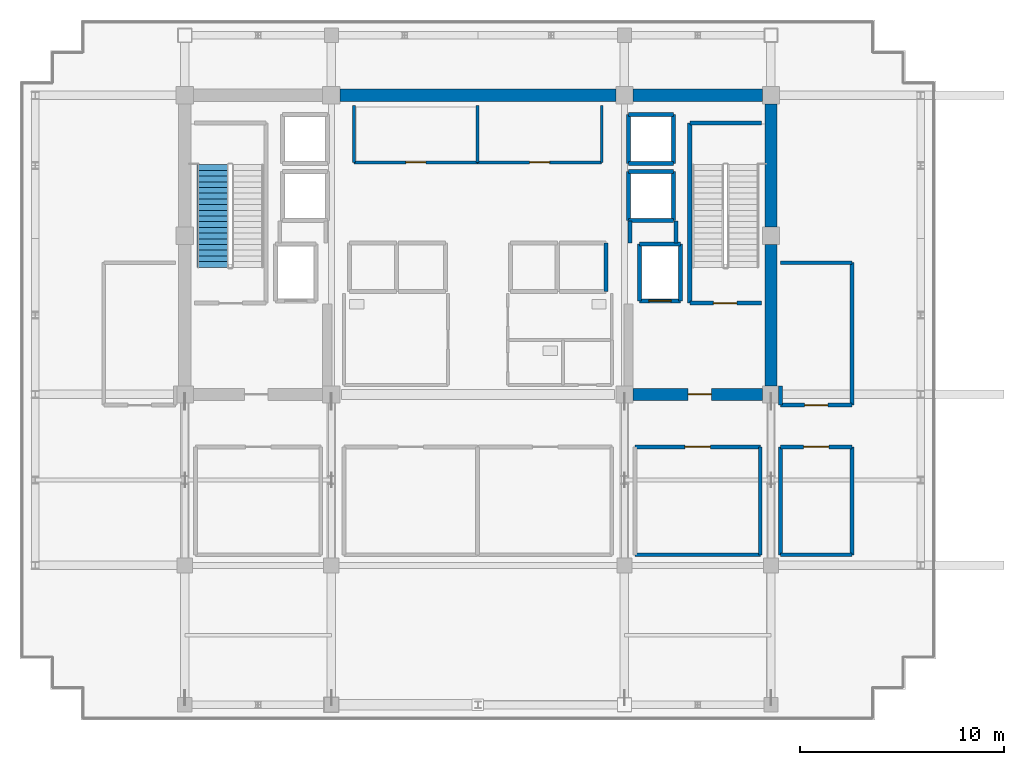
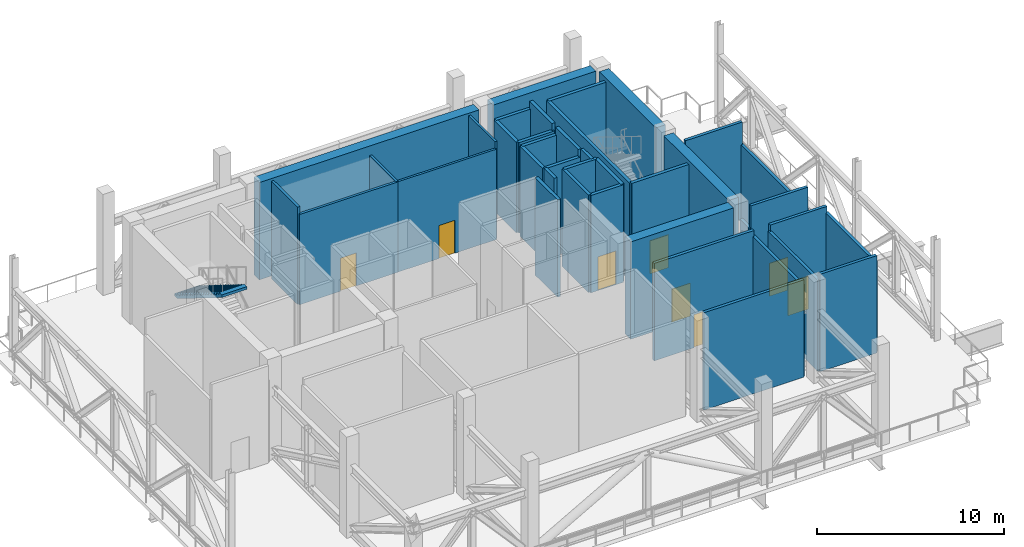
# One storey, part 5 of 11: 39 walls, 8 doors, 1 stair flight, 8 openings, 1 element without a shape of its own.
"""IFC4 building model written with IfcOpenShell, lengths in metres."""

from ifc_helpers import new_model, si_unit, direction, frame, frame_2d, origin, place, context, subcontext, project, spatial, polyline, rectangle, outline, extrude, source, transform, mapped, material, layer, layer_set, type_object, element, fill, aggregate, save


model = new_model("IFC4")

# Units and contexts
model_context = context("Model", 3, precision=1e-05, world=origin(), true_north=direction((0.0, 1.0)))
body_context = subcontext(model_context, "Body", "Model", "MODEL_VIEW")
ifc_project = project(units=[si_unit("LENGTHUNIT", "METRE"), si_unit("AREAUNIT", "SQUARE_METRE"), si_unit("VOLUMEUNIT", "CUBIC_METRE"), si_unit("PLANEANGLEUNIT", "RADIAN"), si_unit("MASSUNIT", "GRAM", prefix="KILO")], contexts=[model_context])

# Site, building, storey
site_placement = place(None, origin())
site = spatial("IfcSite", under=ifc_project, at=site_placement, CompositionType="ELEMENT")
building_placement = place(site_placement, origin())
building = spatial("IfcBuilding", under=site, at=building_placement, Name="Zarnakvel Exchange Tower", CompositionType="ELEMENT")
storey_placement = place(building_placement, frame((0.0, 0.0, 199.0)))
storey = spatial("IfcBuildingStorey", under=building, at=storey_placement, Name="L56", CompositionType="ELEMENT", Elevation=199.0)

# Walls
ifc_material_1 = material(Name="Concrete C50/60", Category="concrete")
ifc_layer_1 = layer(ifc_material_1, 0.60009765625)
ifc_layer_set_1 = layer_set([ifc_layer_1], Name="Concrete C50/60")
wall_type_1 = type_object("IfcWallType", Name="CW-C5", PredefinedType="SHEAR", material=ifc_layer_set_1)
wall_1_placement = place(storey_placement, frame((-6.77490234375, 13.5, 0.0), z_axis=(0.0, 0.0, 1.0), x_axis=(1.0, 0.0, 0.0)))
element("IfcWall", 1, at=wall_1_placement, inside=storey, type_object=wall_type_1, Name="L56 Rear Core Shear Wall N2 (CW-C5)", PredefinedType="SHEAR", context=body_context, shape_type="SweptSolid", body=[
    extrude(rectangle(XDim=13.5498046875, YDim=0.60009765625, at=frame_2d((6.77490234375, 0.0))), origin(), (0.0, 0.0, 1.0), 6.35009765625),
])
wall_2_placement = place(storey_placement, frame((7.625, 13.5, 0.0), z_axis=(0.0, 0.0, 1.0), x_axis=(1.0, 0.0, 0.0)))
element("IfcWall", 2, at=wall_2_placement, inside=storey, type_object=wall_type_1, Name="L56 Rear Core Shear Wall N3 (CW-C5)", PredefinedType="SHEAR", context=body_context, shape_type="SweptSolid", body=[
    extrude(rectangle(XDim=6.35009765625, YDim=0.60009765625, at=frame_2d((3.175048828125, 0.0))), origin(), (0.0, 0.0, 1.0), 6.35009765625),
])
wall_3_placement = place(storey_placement, frame((14.39990234375, -0.77490234375, 0.0), z_axis=(0.0, 0.0, 1.0), x_axis=(0.0, 1.0, 0.0)))
element("IfcWall", 3, at=wall_3_placement, inside=storey, type_object=wall_type_1, Name="L56 Rear Core Shear Wall E1 (CW-C5)", PredefinedType="SHEAR", context=body_context, shape_type="SweptSolid", body=[
    extrude(rectangle(XDim=6.949951171875, YDim=0.60009765625, at=frame_2d((3.47509765625, 0.0))), origin(), (0.0, 0.0, 1.0), 6.35009765625),
])
wall_4_placement = place(storey_placement, frame((14.39990234375, 7.02490234375, 0.0), z_axis=(0.0, 0.0, 1.0), x_axis=(0.0, 1.0, 0.0)))
element("IfcWall", 4, at=wall_4_placement, inside=storey, type_object=wall_type_1, Name="L56 Rear Core Shear Wall E2 (CW-C5)", PredefinedType="SHEAR", context=body_context, shape_type="SweptSolid", body=[
    extrude(rectangle(XDim=6.050048828125, YDim=0.60009765625, at=frame_2d((3.02490234375, 0.0))), origin(), (0.0, 0.0, 1.0), 6.35009765625),
])

# Wall, opening, door
wall_5_placement = place(storey_placement, frame((13.97509765625, -1.199951171875, 0.0), z_axis=(0.0, 0.0, 1.0), x_axis=(-1.0, 0.0, 0.0)))
wall_5 = element("IfcWall", 5, at=wall_5_placement, inside=storey, type_object=wall_type_1, Name="L56 Rear Core Shear Wall SE (CW-C5)", PredefinedType="SHEAR", context=body_context, shape_type="SweptSolid", body=[
    extrude(rectangle(XDim=6.35009765625, YDim=0.60009765625, at=frame_2d((3.175048828125, 0.0))), origin(), (0.0, 0.0, 1.0), 6.35009765625),
])
opening_1_placement = place(wall_5_placement, frame((2.5, 0.0, 0.0)))
opening_1 = element("IfcOpeningElement", 6, at=opening_1_placement, cuts=wall_5, Name="Opening D-L56-04", PredefinedType="OPENING", context=body_context, shape_type="SweptSolid", body=[
    extrude(rectangle(XDim=1.14990234375, YDim=2.14990234375, at=frame_2d((0.574951171875, 1.074951171875))), frame((0.0, 0.31005859375, 0.0), z_axis=(0.0, -1.0, 0.0), x_axis=(1.0, 0.0, 0.0)), (0.0, 0.0, 1.0), 0.6201171875),
])
ifc_material_2 = material(Name="Painted Galvanised Steel S355", Category="steel")
door_type_1 = type_object("IfcDoorType", Name="DT-04", OperationType="NOTDEFINED", PredefinedType="DOOR", material=ifc_material_2)
shared_shape_1 = source(origin(), body_context, "Body", "SweptSolid", [
    extrude(rectangle(XDim=1.14990234375, YDim=2.14990234375, at=frame_2d((0.574951171875, 1.074951171875))), frame((0.0, 0.02490234375, 0.0), z_axis=(0.0, -1.0, 0.0), x_axis=(1.0, 0.0, 0.0)), (0.0, 0.0, 1.0), 0.050048828125),
])
door_1_placement = place(opening_1_placement, origin())
door_1 = element("IfcDoor", 7, at=door_1_placement, inside=storey, type_object=door_type_1, Name="L56 Firefighting Lobby East Door D-L56-04", OperationType="SINGLE_SWING_LEFT", OverallHeight=2.14990234375, OverallWidth=1.14990234375, PredefinedType="DOOR", context=body_context, shape_type="MappedRepresentation", body=[
    mapped(shared_shape_1, transform((0.0, 0.0, 0.0), x_axis=(1.0, 0.0, 0.0), y_axis=(0.0, 1.0, 0.0), z_axis=(0.0, 0.0, 1.0), scale=1.0)),
])
fill(opening_1, door_1)

ifc_material_3 = material(Name="Fire-Rated Gypsum Stud Partition", Category="gypsum")
ifc_layer_2 = layer(ifc_material_3, 0.14990234375)
ifc_layer_set_2 = layer_set([ifc_layer_2], Name="Fire-Rated Gypsum Stud Partition")
wall_type_2 = type_object("IfcWallType", Name="PT-01", PredefinedType="PARTITIONING", material=ifc_layer_set_2)
wall_6_placement = place(storey_placement, frame((-0.02001953125, 10.199951171875, 0.0), z_axis=(0.0, 0.0, 1.0), x_axis=(-1.0, 0.0, 0.0)))
wall_6 = element("IfcWall", 8, at=wall_6_placement, inside=storey, type_object=wall_type_2, Name="L56 Partition Wall PWALL-L56-011 (PT-01)", PredefinedType="PARTITIONING", context=body_context, shape_type="SweptSolid", body=[
    extrude(rectangle(XDim=6.06005859375, YDim=0.14990234375, at=frame_2d((3.030029296875, 0.0))), origin(), (0.0, 0.0, 1.0), 5.889892578125),
])
opening_2_placement = place(wall_6_placement, frame((2.5400390625, 0.0, 0.0)))
opening_2 = element("IfcOpeningElement", 9, at=opening_2_placement, cuts=wall_6, Name="Opening D-L56-05", PredefinedType="OPENING", context=body_context, shape_type="SweptSolid", body=[
    extrude(rectangle(XDim=0.97998046875, YDim=2.14990234375, at=frame_2d((0.489990234375, 1.074951171875))), frame((0.0, 0.0849609375, 0.0), z_axis=(0.0, -1.0, 0.0), x_axis=(1.0, 0.0, 0.0)), (0.0, 0.0, 1.0), 0.169921875),
])
ifc_material_4 = material(Name="Timber Acoustic Veneer", Category="wood")
door_type_2 = type_object("IfcDoorType", Name="DT-05", OperationType="NOTDEFINED", PredefinedType="DOOR", material=ifc_material_4)
shared_shape_2 = source(origin(), body_context, "Body", "SweptSolid", [
    extrude(rectangle(XDim=0.97998046875, YDim=2.14990234375, at=frame_2d((0.489990234375, 1.074951171875))), frame((0.0, 0.02490234375, 0.0), z_axis=(0.0, -1.0, 0.0), x_axis=(1.0, 0.0, 0.0)), (0.0, 0.0, 1.0), 0.050048828125),
])
door_2_placement = place(opening_2_placement, origin())
door_2 = element("IfcDoor", 10, at=door_2_placement, inside=storey, type_object=door_type_2, Name="L56 Settlement Records Suite Door D-L56-05", OperationType="SINGLE_SWING_RIGHT", OverallHeight=2.14990234375, OverallWidth=0.97998046875, PredefinedType="DOOR", context=body_context, shape_type="MappedRepresentation", body=[
    mapped(shared_shape_2, transform((0.0, 0.0, 0.0), x_axis=(1.0, 0.0, 0.0), y_axis=(0.0, 1.0, 0.0), z_axis=(0.0, 0.0, 1.0), scale=1.0)),
])
fill(opening_2, door_2)

# Walls
wall_7_placement = place(storey_placement, frame((-6.080078125, 10.199951171875, 0.0), z_axis=(0.0, 0.0, 1.0), x_axis=(0.0, 1.0, 0.0)))
element("IfcWall", 11, at=wall_7_placement, inside=storey, type_object=wall_type_2, Name="L56 Partition Wall PWALL-L56-012 (PT-01)", PredefinedType="PARTITIONING", context=body_context, shape_type="SweptSolid", body=[
    extrude(rectangle(XDim=2.800048828125, YDim=0.14990234375, at=frame_2d((1.39990234375, 0.0))), origin(), (0.0, 0.0, 1.0), 6.35009765625),
])
wall_8_placement = place(storey_placement, frame((-0.02001953125, 13.0, 0.0), z_axis=(0.0, 0.0, 1.0), x_axis=(0.0, -1.0, 0.0)))
element("IfcWall", 12, at=wall_8_placement, inside=storey, type_object=wall_type_2, Name="L56 Partition Wall PWALL-L56-013 (PT-01)", PredefinedType="PARTITIONING", context=body_context, shape_type="SweptSolid", body=[
    extrude(rectangle(XDim=2.800048828125, YDim=0.14990234375, at=frame_2d((1.39990234375, 0.0))), origin(), (0.0, 0.0, 1.0), 5.889892578125),
])
ifc_layer_3 = layer(ifc_material_3, 0.179931640625)
ifc_layer_set_3 = layer_set([ifc_layer_3], Name="Fire-Rated Gypsum Stud Partition")
wall_type_3 = type_object("IfcWallType", Name="PT-02", PredefinedType="PARTITIONING", material=ifc_layer_set_3)
wall_9_placement = place(storey_placement, frame((7.469970703125, 6.239990234375, 0.0), z_axis=(0.0, 0.0, 1.0), x_axis=(0.0, 1.0, 0.0)))
element("IfcWall", 13, at=wall_9_placement, inside=storey, type_object=wall_type_3, Name="L56 Partition Wall PWALL-L56-009 (PT-02)", PredefinedType="PARTITIONING", context=body_context, shape_type="SweptSolid", body=[
    extrude(rectangle(XDim=1.090087890625, YDim=0.179931640625, at=frame_2d((0.544921875, 0.0))), origin(), (0.0, 0.0, 1.0), 5.889892578125),
])
wall_10_placement = place(storey_placement, frame((9.72998046875, 7.330078125, 0.0), z_axis=(0.0, 0.0, 1.0), x_axis=(0.0, -1.0, 0.0)))
element("IfcWall", 14, at=wall_10_placement, inside=storey, type_object=wall_type_3, Name="L56 Partition Wall PWALL-L56-010 (PT-02)", PredefinedType="PARTITIONING", context=body_context, shape_type="SweptSolid", body=[
    extrude(rectangle(XDim=1.090087890625, YDim=0.179931640625, at=frame_2d((0.544921875, 0.0))), origin(), (0.0, 0.0, 1.0), 6.35009765625),
])

# Wall, opening, door
wall_11_placement = place(storey_placement, frame((18.3798828125, -1.719970703125, 0.0), z_axis=(0.0, 0.0, 1.0), x_axis=(-1.0, 0.0, 0.0)))
wall_11 = element("IfcWall", 15, at=wall_11_placement, inside=storey, type_object=wall_type_3, Name="L56 Partition Wall PWALL-L56-031 (PT-02)", PredefinedType="PARTITIONING", context=body_context, shape_type="SweptSolid", body=[
    extrude(rectangle(XDim=3.509765625, YDim=0.179931640625, at=frame_2d((1.7548828125, 0.0))), origin(), (0.0, 0.0, 1.0), 6.35009765625),
])
opening_3_placement = place(wall_11_placement, frame((1.179931640625, 0.0, 0.0)))
opening_3 = element("IfcOpeningElement", 16, at=opening_3_placement, cuts=wall_11, Name="Opening D-L56-12", PredefinedType="OPENING", context=body_context, shape_type="SweptSolid", body=[
    extrude(rectangle(XDim=1.14990234375, YDim=2.14990234375, at=frame_2d((0.574951171875, 1.074951171875))), frame((0.0, 0.099853515625, 0.0), z_axis=(0.0, -1.0, 0.0), x_axis=(1.0, 0.0, 0.0)), (0.0, 0.0, 1.0), 0.199951171875),
])
door_3_placement = place(opening_3_placement, origin())
door_3 = element("IfcDoor", 17, at=door_3_placement, inside=storey, type_object=door_type_1, Name="L56 L56 Protected Refuge Area East Door D-L56-12", OperationType="SINGLE_SWING_LEFT", OverallHeight=2.14990234375, OverallWidth=1.14990234375, PredefinedType="DOOR", context=body_context, shape_type="MappedRepresentation", body=[
    mapped(shared_shape_1, transform((0.0, 0.0, 0.0), x_axis=(1.0, 0.0, 0.0), y_axis=(0.0, 1.0, 0.0), z_axis=(0.0, 0.0, 1.0), scale=1.0)),
])
fill(opening_3, door_3)

# Walls
wall_12_placement = place(storey_placement, frame((14.8701171875, 5.280029296875, 0.0), z_axis=(0.0, 0.0, 1.0), x_axis=(1.0, 0.0, 0.0)))
element("IfcWall", 18, at=wall_12_placement, inside=storey, type_object=wall_type_3, Name="L56 Partition Wall PWALL-L56-032 (PT-02)", PredefinedType="PARTITIONING", context=body_context, shape_type="SweptSolid", body=[
    extrude(rectangle(XDim=3.509765625, YDim=0.179931640625, at=frame_2d((1.7548828125, 0.0))), origin(), (0.0, 0.0, 1.0), 6.35009765625),
])
wall_13_placement = place(storey_placement, frame((14.8701171875, -1.719970703125, 0.0), z_axis=(0.0, 0.0, 1.0), x_axis=(0.0, 1.0, 0.0)))
element("IfcWall", 19, at=wall_13_placement, inside=storey, type_object=wall_type_3, Name="L56 Partition Wall PWALL-L56-033 (PT-02)", PredefinedType="PARTITIONING", context=body_context, shape_type="SweptSolid", body=[
    extrude(rectangle(XDim=0.945068359375, YDim=0.179931640625, at=frame_2d((0.47265625, 0.0))), origin(), (0.0, 0.0, 1.0), 4.889892578125),
])
wall_14_placement = place(storey_placement, frame((18.3798828125, 5.280029296875, 0.0), z_axis=(0.0, 0.0, 1.0), x_axis=(0.0, -1.0, 0.0)))
element("IfcWall", 20, at=wall_14_placement, inside=storey, type_object=wall_type_3, Name="L56 Partition Wall PWALL-L56-034 (PT-02)", PredefinedType="PARTITIONING", context=body_context, shape_type="SweptSolid", body=[
    extrude(rectangle(XDim=7.0, YDim=0.179931640625, at=frame_2d((3.5, 0.0))), origin(), (0.0, 0.0, 1.0), 4.889892578125),
])
wall_15_placement = place(storey_placement, frame((13.8798828125, -9.080078125, 0.0), z_axis=(0.0, 0.0, 1.0), x_axis=(-1.0, 0.0, 0.0)))
element("IfcWall", 21, at=wall_15_placement, inside=storey, type_object=wall_type_3, Name="L56 Partition Wall PWALL-L56-046 (PT-02)", PredefinedType="PARTITIONING", context=body_context, shape_type="SweptSolid", body=[
    extrude(rectangle(XDim=6.159912109375, YDim=0.179931640625, at=frame_2d((3.080078125, 0.0))), origin(), (0.0, 0.0, 1.0), 6.35009765625),
])

# Wall, opening, door
wall_16_placement = place(storey_placement, frame((7.719970703125, -3.780029296875, 0.0), z_axis=(0.0, 0.0, 1.0), x_axis=(1.0, 0.0, 0.0)))
wall_16 = element("IfcWall", 22, at=wall_16_placement, inside=storey, type_object=wall_type_3, Name="L56 Partition Wall PWALL-L56-047 (PT-02)", PredefinedType="PARTITIONING", context=body_context, shape_type="SweptSolid", body=[
    extrude(rectangle(XDim=6.159912109375, YDim=0.179931640625, at=frame_2d((3.080078125, 0.0))), origin(), (0.0, 0.0, 1.0), 6.35009765625),
])
opening_4_placement = place(wall_16_placement, frame((2.455078125, 0.0, 0.0)))
opening_4 = element("IfcOpeningElement", 23, at=opening_4_placement, cuts=wall_16, Name="Opening D-L56-16", PredefinedType="OPENING", context=body_context, shape_type="SweptSolid", body=[
    extrude(rectangle(XDim=1.25, YDim=2.14990234375, at=frame_2d((0.625, 1.074951171875))), frame((0.0, 0.099853515625, 0.0), z_axis=(0.0, -1.0, 0.0), x_axis=(1.0, 0.0, 0.0)), (0.0, 0.0, 1.0), 0.199951171875),
])
door_type_3 = type_object("IfcDoorType", Name="DT-06", OperationType="NOTDEFINED", PredefinedType="DOOR", material=ifc_material_2)
shared_shape_3 = source(origin(), body_context, "Body", "SweptSolid", [
    extrude(rectangle(XDim=1.25, YDim=2.14990234375, at=frame_2d((0.625, 1.074951171875))), frame((0.0, 0.02490234375, 0.0), z_axis=(0.0, -1.0, 0.0), x_axis=(1.0, 0.0, 0.0)), (0.0, 0.0, 1.0), 0.050048828125),
])
door_4_placement = place(opening_4_placement, origin())
door_4 = element("IfcDoor", 24, at=door_4_placement, inside=storey, type_object=door_type_3, Name="L56 L56 HV Zone Substation Plant Room Door D-L56-16", OperationType="SINGLE_SWING_LEFT", OverallHeight=2.14990234375, OverallWidth=1.25, PredefinedType="DOOR", context=body_context, shape_type="MappedRepresentation", body=[
    mapped(shared_shape_3, transform((0.0, 0.0, 0.0), x_axis=(1.0, 0.0, 0.0), y_axis=(0.0, 1.0, 0.0), z_axis=(0.0, 0.0, 1.0), scale=1.0)),
])
fill(opening_4, door_4)

# Walls
wall_17_placement = place(storey_placement, frame((13.8798828125, -3.780029296875, 0.0), z_axis=(0.0, 0.0, 1.0), x_axis=(0.0, -1.0, 0.0)))
element("IfcWall", 25, at=wall_17_placement, inside=storey, type_object=wall_type_3, Name="L56 Partition Wall PWALL-L56-049 (PT-02)", PredefinedType="PARTITIONING", context=body_context, shape_type="SweptSolid", body=[
    extrude(rectangle(XDim=5.300048828125, YDim=0.179931640625, at=frame_2d((2.64990234375, 0.0))), origin(), (0.0, 0.0, 1.0), 5.97998046875),
])
wall_18_placement = place(storey_placement, frame((18.3798828125, -9.080078125, 0.0), z_axis=(0.0, 0.0, 1.0), x_axis=(-1.0, 0.0, 0.0)))
element("IfcWall", 26, at=wall_18_placement, inside=storey, type_object=wall_type_3, Name="L56 Partition Wall PWALL-L56-050 (PT-02)", PredefinedType="PARTITIONING", context=body_context, shape_type="SweptSolid", body=[
    extrude(rectangle(XDim=3.509765625, YDim=0.179931640625, at=frame_2d((1.7548828125, 0.0))), origin(), (0.0, 0.0, 1.0), 6.35009765625),
])

# Wall, opening, door
wall_19_placement = place(storey_placement, frame((14.8701171875, -3.780029296875, 0.0), z_axis=(0.0, 0.0, 1.0), x_axis=(1.0, 0.0, 0.0)))
wall_19 = element("IfcWall", 27, at=wall_19_placement, inside=storey, type_object=wall_type_3, Name="L56 Partition Wall PWALL-L56-051 (PT-02)", PredefinedType="PARTITIONING", context=body_context, shape_type="SweptSolid", body=[
    extrude(rectangle(XDim=3.509765625, YDim=0.179931640625, at=frame_2d((1.7548828125, 0.0))), origin(), (0.0, 0.0, 1.0), 6.35009765625),
])
opening_5_placement = place(wall_19_placement, frame((1.1298828125, 0.0, 0.0)))
opening_5 = element("IfcOpeningElement", 28, at=opening_5_placement, cuts=wall_19, Name="Opening D-L56-17", PredefinedType="OPENING", context=body_context, shape_type="SweptSolid", body=[
    extrude(rectangle(XDim=1.25, YDim=2.14990234375, at=frame_2d((0.625, 1.074951171875))), frame((0.0, 0.099853515625, 0.0), z_axis=(0.0, -1.0, 0.0), x_axis=(1.0, 0.0, 0.0)), (0.0, 0.0, 1.0), 0.199951171875),
])
door_5_placement = place(opening_5_placement, origin())
door_5 = element("IfcDoor", 29, at=door_5_placement, inside=storey, type_object=door_type_3, Name="L56 L56 BMS and Smoke-Extract Plant Room Door D-L56-17", OperationType="SINGLE_SWING_RIGHT", OverallHeight=2.14990234375, OverallWidth=1.25, PredefinedType="DOOR", context=body_context, shape_type="MappedRepresentation", body=[
    mapped(shared_shape_3, transform((0.0, 0.0, 0.0), x_axis=(1.0, 0.0, 0.0), y_axis=(0.0, 1.0, 0.0), z_axis=(0.0, 0.0, 1.0), scale=1.0)),
])
fill(opening_5, door_5)

# Walls
for number, where, z_axis, x_axis, name in (
    (30, (14.8701171875, -9.080078125, 0.0), (0.0, 0.0, 1.0), (0.0, 1.0, 0.0), "L56 Partition Wall PWALL-L56-052 (PT-02)"),
    (31, (18.3798828125, -3.780029296875, 0.0), (0.0, 0.0, 1.0), (0.0, -1.0, 0.0), "L56 Partition Wall PWALL-L56-053 (PT-02)"),
):
    element("IfcWall", number, at=place(storey_placement, frame(where, z_axis=z_axis, x_axis=x_axis)), inside=storey, type_object=wall_type_3, Name=name, PredefinedType="PARTITIONING", context=body_context, shape_type="SweptSolid", body=[
        extrude(rectangle(XDim=5.300048828125, YDim=0.179931640625, at=frame_2d((2.64990234375, 0.0))), origin(), (0.0, 0.0, 1.0), 5.93994140625),
    ])

# Wall, opening, door
ifc_material_5 = material(Name="Moisture-Resistant Tile-Faced Partition", Category="gypsum")
ifc_layer_4 = layer(ifc_material_5, 0.135009765625)
ifc_layer_set_4 = layer_set([ifc_layer_4], Name="Moisture-Resistant Tile-Faced Partition")
wall_type_4 = type_object("IfcWallType", Name="PT-03", PredefinedType="PARTITIONING", material=ifc_layer_set_4)
wall_20_placement = place(storey_placement, frame((6.080078125, 10.199951171875, 0.0), z_axis=(0.0, 0.0, 1.0), x_axis=(-1.0, 0.0, 0.0)))
wall_20 = element("IfcWall", 32, at=wall_20_placement, inside=storey, type_object=wall_type_4, Name="L56 Partition Wall PWALL-L56-014 (PT-03)", PredefinedType="PARTITIONING", context=body_context, shape_type="SweptSolid", body=[
    extrude(rectangle(XDim=6.10009765625, YDim=0.135009765625, at=frame_2d((3.050048828125, 0.0))), origin(), (0.0, 0.0, 1.0), 5.889892578125),
])
opening_6_placement = place(wall_20_placement, frame((2.56005859375, 0.0, 0.0)))
opening_6 = element("IfcOpeningElement", 33, at=opening_6_placement, cuts=wall_20, Name="Opening D-L56-06", PredefinedType="OPENING", context=body_context, shape_type="SweptSolid", body=[
    extrude(rectangle(XDim=0.97998046875, YDim=2.14990234375, at=frame_2d((0.489990234375, 1.074951171875))), frame((0.0, 0.077392578125, 0.0), z_axis=(0.0, -1.0, 0.0), x_axis=(1.0, 0.0, 0.0)), (0.0, 0.0, 1.0), 0.155029296875),
])
door_6_placement = place(opening_6_placement, origin())
door_6 = element("IfcDoor", 34, at=door_6_placement, inside=storey, type_object=door_type_2, Name="L56 Staff Refreshment Pantry Door D-L56-06", OperationType="SINGLE_SWING_LEFT", OverallHeight=2.14990234375, OverallWidth=0.97998046875, PredefinedType="DOOR", context=body_context, shape_type="MappedRepresentation", body=[
    mapped(shared_shape_2, transform((0.0, 0.0, 0.0), x_axis=(1.0, 0.0, 0.0), y_axis=(0.0, 1.0, 0.0), z_axis=(0.0, 0.0, 1.0), scale=1.0)),
])
fill(opening_6, door_6)

# Wall
wall_21_placement = place(storey_placement, frame((6.080078125, 13.0, 0.0), z_axis=(0.0, 0.0, 1.0), x_axis=(0.0, -1.0, 0.0)))
element("IfcWall", 35, at=wall_21_placement, inside=storey, type_object=wall_type_4, Name="L56 Partition Wall PWALL-L56-015 (PT-03)", PredefinedType="PARTITIONING", context=body_context, shape_type="SweptSolid", body=[
    extrude(rectangle(XDim=2.800048828125, YDim=0.135009765625, at=frame_2d((1.39990234375, 0.0))), origin(), (0.0, 0.0, 1.0), 6.35009765625),
])

# Wall, opening, door
ifc_material_6 = material(Name="Concrete C40/50", Category="concrete")
ifc_layer_5 = layer(ifc_material_6, 0.199951171875)
ifc_layer_set_5 = layer_set([ifc_layer_5], Name="Concrete C40/50")
wall_type_5 = type_object("IfcWallType", Name="SW-01", PredefinedType="SOLIDWALL", material=ifc_layer_set_5)
wall_22_placement = place(storey_placement, frame((9.949951171875, 3.39990234375, 0.0), z_axis=(0.0, 0.0, 1.0), x_axis=(-1.0, 0.0, 0.0)))
wall_22 = element("IfcWall", 36, at=wall_22_placement, inside=storey, type_object=wall_type_5, Name="L56 FL-02 Hoistway Wall South", PredefinedType="SOLIDWALL", context=body_context, shape_type="SweptSolid", body=[
    extrude(rectangle(XDim=2.0, YDim=0.199951171875, at=frame_2d((1.0, 0.0))), origin(), (0.0, 0.0, 1.0), 6.35009765625),
])
opening_7_placement = place(wall_22_placement, frame((0.449951171875, 0.0, 0.0)))
opening_7 = element("IfcOpeningElement", 37, at=opening_7_placement, cuts=wall_22, Name="Opening LD-FL-02-L56", PredefinedType="OPENING", context=body_context, shape_type="SweptSolid", body=[
    extrude(rectangle(XDim=1.10009765625, YDim=2.199951171875, at=frame_2d((0.550048828125, 1.10009765625))), frame((0.0, 0.10986328125, 0.0), z_axis=(0.0, -1.0, 0.0), x_axis=(1.0, 0.0, 0.0)), (0.0, 0.0, 1.0), 0.219970703125),
])
ifc_material_7 = material(Name="Brushed Stainless Steel", Category="steel")
door_type_4 = type_object("IfcDoorType", Name="LDT-01", OperationType="NOTDEFINED", PredefinedType="DOOR", material=ifc_material_7)
shared_shape_4 = source(origin(), body_context, "Body", "SweptSolid", [
    extrude(rectangle(XDim=1.10009765625, YDim=2.199951171875, at=frame_2d((0.550048828125, 1.10009765625))), frame((0.0, 0.02490234375, 0.0), z_axis=(0.0, -1.0, 0.0), x_axis=(1.0, 0.0, 0.0)), (0.0, 0.0, 1.0), 0.050048828125),
])
door_7_placement = place(opening_7_placement, origin())
door_7 = element("IfcDoor", 38, at=door_7_placement, inside=storey, type_object=door_type_4, Name="L56 FL-02 Lift Landing Door LD-FL-02-L56", OperationType="DOUBLE_DOOR_SLIDING", OverallHeight=2.199951171875, OverallWidth=1.10009765625, PredefinedType="DOOR", context=body_context, shape_type="MappedRepresentation", body=[
    mapped(shared_shape_4, transform((0.0, 0.0, 0.0), x_axis=(1.0, 0.0, 0.0), y_axis=(0.0, 1.0, 0.0), z_axis=(0.0, 0.0, 1.0), scale=1.0)),
])
fill(opening_7, door_7)

# Walls
wall_23_placement = place(storey_placement, frame((7.949951171875, 6.199951171875, 0.0), z_axis=(0.0, 0.0, 1.0), x_axis=(1.0, 0.0, 0.0)))
element("IfcWall", 39, at=wall_23_placement, inside=storey, type_object=wall_type_5, Name="L56 FL-02 Hoistway Wall North", PredefinedType="SOLIDWALL", context=body_context, shape_type="SweptSolid", body=[
    extrude(rectangle(XDim=2.0, YDim=0.199951171875, at=frame_2d((1.0, 0.0))), origin(), (0.0, 0.0, 1.0), 6.35009765625),
])
for number, where, z_axis, x_axis, name in (
    (40, (7.949951171875, 3.39990234375, 0.0), (0.0, 0.0, 1.0), (0.0, 1.0, 0.0), "L56 FL-02 Hoistway Wall West"),
    (41, (9.949951171875, 6.199951171875, 0.0), (0.0, 0.0, 1.0), (0.0, -1.0, 0.0), "L56 FL-02 Hoistway Wall East"),
):
    element("IfcWall", number, at=place(storey_placement, frame(where, z_axis=z_axis, x_axis=x_axis)), inside=storey, type_object=wall_type_5, Name=name, PredefinedType="SOLIDWALL", context=body_context, shape_type="SweptSolid", body=[
        extrude(rectangle(XDim=2.800048828125, YDim=0.199951171875, at=frame_2d((1.39990234375, 0.0))), origin(), (0.0, 0.0, 1.0), 6.35009765625),
    ])
wall_24_placement = place(storey_placement, frame((6.300048828125, 6.25, 0.0), z_axis=(0.0, 0.0, 1.0), x_axis=(0.0, -1.0, 0.0)))
element("IfcWall", 42, at=wall_24_placement, inside=storey, type_object=wall_type_5, Name="L56 PL-08 Hoistway Wall East", PredefinedType="SOLIDWALL", context=body_context, shape_type="SweptSolid", body=[
    extrude(rectangle(XDim=2.39990234375, YDim=0.199951171875, at=frame_2d((1.199951171875, 0.0))), origin(), (0.0, 0.0, 1.0), 6.35009765625),
])
for number, where, z_axis, x_axis, name in (
    (43, (9.60009765625, 7.35009765625, 0.0), (0.0, 0.0, 1.0), (-1.0, 0.0, 0.0), "L56 PL-11 Hoistway Wall South"),
    (44, (7.39990234375, 9.75, 0.0), (0.0, 0.0, 1.0), (1.0, 0.0, 0.0), "L56 PL-11 Hoistway Wall North"),
):
    element("IfcWall", number, at=place(storey_placement, frame(where, z_axis=z_axis, x_axis=x_axis)), inside=storey, type_object=wall_type_5, Name=name, PredefinedType="SOLIDWALL", context=body_context, shape_type="SweptSolid", body=[
        extrude(rectangle(XDim=2.2001953125, YDim=0.199951171875, at=frame_2d((1.10009765625, 0.0))), origin(), (0.0, 0.0, 1.0), 5.889892578125),
    ])
wall_25_placement = place(storey_placement, frame((7.39990234375, 7.35009765625, 0.0), z_axis=(0.0, 0.0, 1.0), x_axis=(0.0, 1.0, 0.0)))
element("IfcWall", 45, at=wall_25_placement, inside=storey, type_object=wall_type_5, Name="L56 PL-11 Hoistway Wall West", PredefinedType="SOLIDWALL", context=body_context, shape_type="SweptSolid", body=[
    extrude(rectangle(XDim=2.39990234375, YDim=0.199951171875, at=frame_2d((1.199951171875, 0.0))), origin(), (0.0, 0.0, 1.0), 5.889892578125),
])
wall_26_placement = place(storey_placement, frame((9.60009765625, 9.75, 0.0), z_axis=(0.0, 0.0, 1.0), x_axis=(0.0, -1.0, 0.0)))
element("IfcWall", 46, at=wall_26_placement, inside=storey, type_object=wall_type_5, Name="L56 PL-11 Hoistway Wall East", PredefinedType="SOLIDWALL", context=body_context, shape_type="SweptSolid", body=[
    extrude(rectangle(XDim=2.39990234375, YDim=0.199951171875, at=frame_2d((1.199951171875, 0.0))), origin(), (0.0, 0.0, 1.0), 6.35009765625),
])
for number, where, z_axis, x_axis, name in (
    (47, (9.60009765625, 10.14990234375, 0.0), (0.0, 0.0, 1.0), (-1.0, 0.0, 0.0), "L56 PL-12 Hoistway Wall South"),
    (48, (7.39990234375, 12.550048828125, 0.0), (0.0, 0.0, 1.0), (1.0, 0.0, 0.0), "L56 PL-12 Hoistway Wall North"),
):
    element("IfcWall", number, at=place(storey_placement, frame(where, z_axis=z_axis, x_axis=x_axis)), inside=storey, type_object=wall_type_5, Name=name, PredefinedType="SOLIDWALL", context=body_context, shape_type="SweptSolid", body=[
        extrude(rectangle(XDim=2.2001953125, YDim=0.199951171875, at=frame_2d((1.10009765625, 0.0))), origin(), (0.0, 0.0, 1.0), 5.889892578125),
    ])
wall_27_placement = place(storey_placement, frame((7.39990234375, 10.14990234375, 0.0), z_axis=(0.0, 0.0, 1.0), x_axis=(0.0, 1.0, 0.0)))
element("IfcWall", 49, at=wall_27_placement, inside=storey, type_object=wall_type_5, Name="L56 PL-12 Hoistway Wall West", PredefinedType="SOLIDWALL", context=body_context, shape_type="SweptSolid", body=[
    extrude(rectangle(XDim=2.400146484375, YDim=0.199951171875, at=frame_2d((1.2001953125, 0.0))), origin(), (0.0, 0.0, 1.0), 5.889892578125),
])
wall_28_placement = place(storey_placement, frame((9.60009765625, 12.550048828125, 0.0), z_axis=(0.0, 0.0, 1.0), x_axis=(0.0, -1.0, 0.0)))
element("IfcWall", 50, at=wall_28_placement, inside=storey, type_object=wall_type_5, Name="L56 PL-12 Hoistway Wall East", PredefinedType="SOLIDWALL", context=body_context, shape_type="SweptSolid", body=[
    extrude(rectangle(XDim=2.400146484375, YDim=0.199951171875, at=frame_2d((1.2001953125, 0.0))), origin(), (0.0, 0.0, 1.0), 6.35009765625),
])

# Wall, opening, door
ifc_layer_6 = layer(ifc_material_6, 0.199951171875)
ifc_layer_set_6 = layer_set([ifc_layer_6], Name="Concrete C40/50")
wall_type_6 = type_object("IfcWallType", Name="SW-02", PredefinedType="SOLIDWALL", material=ifc_layer_set_6)
wall_29_placement = place(storey_placement, frame((13.929931640625, 3.2900390625, 0.0), z_axis=(0.0, 0.0, 1.0), x_axis=(-1.0, 0.0, 0.0)))
wall_29 = element("IfcWall", 51, at=wall_29_placement, inside=storey, type_object=wall_type_6, Name="L56 Stairwell Core Wall PWALL-L56-004 (SW-02)", PredefinedType="SOLIDWALL", context=body_context, shape_type="SweptSolid", body=[
    extrude(rectangle(XDim=3.52001953125, YDim=0.199951171875, at=frame_2d((1.760009765625, 0.0))), origin(), (0.0, 0.0, 1.0), 6.35009765625),
])
opening_8_placement = place(wall_29_placement, frame((1.205078125, 0.0, 0.0)))
opening_8 = element("IfcOpeningElement", 52, at=opening_8_placement, cuts=wall_29, Name="Opening D-L56-02", PredefinedType="OPENING", context=body_context, shape_type="SweptSolid", body=[
    extrude(rectangle(XDim=1.14990234375, YDim=2.14990234375, at=frame_2d((0.574951171875, 1.074951171875))), frame((0.0, 0.10986328125, 0.0), z_axis=(0.0, -1.0, 0.0), x_axis=(1.0, 0.0, 0.0)), (0.0, 0.0, 1.0), 0.219970703125),
])
door_8_placement = place(opening_8_placement, origin())
door_8 = element("IfcDoor", 53, at=door_8_placement, inside=storey, type_object=door_type_1, Name="L56 Stairwell ST-02 Door D-L56-02", OperationType="SINGLE_SWING_LEFT", OverallHeight=2.14990234375, OverallWidth=1.14990234375, PredefinedType="DOOR", context=body_context, shape_type="MappedRepresentation", body=[
    mapped(shared_shape_1, transform((0.0, 0.0, 0.0), x_axis=(1.0, 0.0, 0.0), y_axis=(0.0, 1.0, 0.0), z_axis=(0.0, 0.0, 1.0), scale=1.0)),
])
fill(opening_8, door_8)

# Walls
wall_30_placement = place(storey_placement, frame((10.409912109375, 12.1298828125, 0.0), z_axis=(0.0, 0.0, 1.0), x_axis=(1.0, 0.0, 0.0)))
element("IfcWall", 54, at=wall_30_placement, inside=storey, type_object=wall_type_6, Name="L56 Stairwell Core Wall PWALL-L56-005 (SW-02)", PredefinedType="SOLIDWALL", context=body_context, shape_type="SweptSolid", body=[
    extrude(rectangle(XDim=3.52001953125, YDim=0.199951171875, at=frame_2d((1.760009765625, 0.0))), origin(), (0.0, 0.0, 1.0), 6.35009765625),
])
wall_31_placement = place(storey_placement, frame((10.409912109375, 3.2900390625, 0.0), z_axis=(0.0, 0.0, 1.0), x_axis=(0.0, 1.0, 0.0)))
element("IfcWall", 55, at=wall_31_placement, inside=storey, type_object=wall_type_6, Name="L56 Stairwell Core Wall PWALL-L56-006 (SW-02)", PredefinedType="SOLIDWALL", context=body_context, shape_type="SweptSolid", body=[
    extrude(rectangle(XDim=8.83984375, YDim=0.199951171875, at=frame_2d((4.419921875, 0.0))), origin(), (0.0, 0.0, 1.0), 6.35009765625),
])

# Stair, stair flight
stair_type = type_object("IfcStairType", Name="STR-01", PredefinedType="HALF_TURN_STAIR", material=ifc_material_6)
stair_placement = place(storey_placement, origin())
stair = element("IfcStair", 56, at=stair_placement, inside=storey, type_object=stair_type, Name="L56 Protected Core Exit Stair ST-01", PredefinedType="HALF_TURN_STAIR")
stair_flight_type = type_object("IfcStairFlightType", Name="FLT-01", PredefinedType="STRAIGHT", material=ifc_material_6)
stair_flight_placement = place(storey_placement, frame((-13.02490234375, 10.090087890625, 3.300048828125), z_axis=(0.0, 0.0, 1.0), x_axis=(0.0, -1.0, 0.0)))
stair_flight = element("IfcStairFlight", 57, at=stair_flight_placement, type_object=stair_flight_type, Name="ST-01 flight 2", NumberOfRisers=19, NumberOfTreads=18, PredefinedType="STRAIGHT", RiserHeight=0.173684211, TreadLength=0.28, context=body_context, shape_type="SweptSolid", body=[
    extrude(outline(polyline([(0.0, 0.0), (0.0, 0.173583984375), (0.280029296875, 0.173583984375), (0.280029296875, 0.347412109375), (0.56005859375, 0.347412109375), (0.56005859375, 0.52099609375), (0.840087890625, 0.52099609375), (0.840087890625, 0.69482421875), (1.1201171875, 0.69482421875), (1.1201171875, 0.868408203125), (1.39990234375, 0.868408203125), (1.39990234375, 1.0419921875), (1.679931640625, 1.0419921875), (1.679931640625, 1.2158203125), (1.9599609375, 1.2158203125), (1.9599609375, 1.389404296875), (2.239990234375, 1.389404296875), (2.239990234375, 1.563232421875), (2.52001953125, 1.563232421875), (2.52001953125, 1.73681640625), (2.800048828125, 1.73681640625), (2.800048828125, 1.91064453125), (3.080078125, 1.91064453125), (3.080078125, 2.084228515625), (3.360107421875, 2.084228515625), (3.360107421875, 2.2578125), (3.639892578125, 2.2578125), (3.639892578125, 2.431640625), (3.919921875, 2.431640625), (3.919921875, 2.605224609375), (4.199951171875, 2.605224609375), (4.199951171875, 2.779052734375), (4.47998046875, 2.779052734375), (4.47998046875, 2.95263671875), (4.760009765625, 2.95263671875), (4.760009765625, 3.126220703125), (5.0400390625, 3.126220703125), (5.0400390625, 3.300048828125), (5.0400390625, 2.949951171875), (0.284423828125, 0.0), (0.0, 0.0)])), frame((0.0, 0.77490234375, 0.0), z_axis=(0.0, -1.0, 0.0), x_axis=(1.0, 0.0, 0.0)), (0.0, 0.0, 1.0), 1.550048828125),
])
aggregate(stair, [stair_flight])

save(model, "model.ifc")
